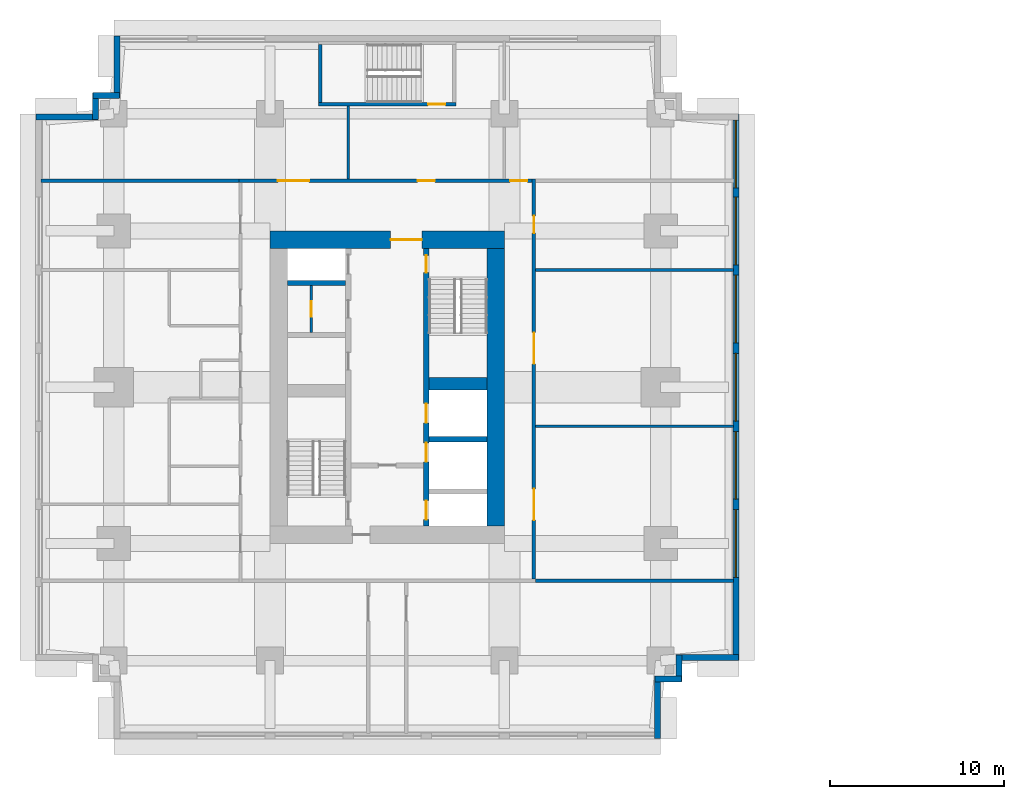
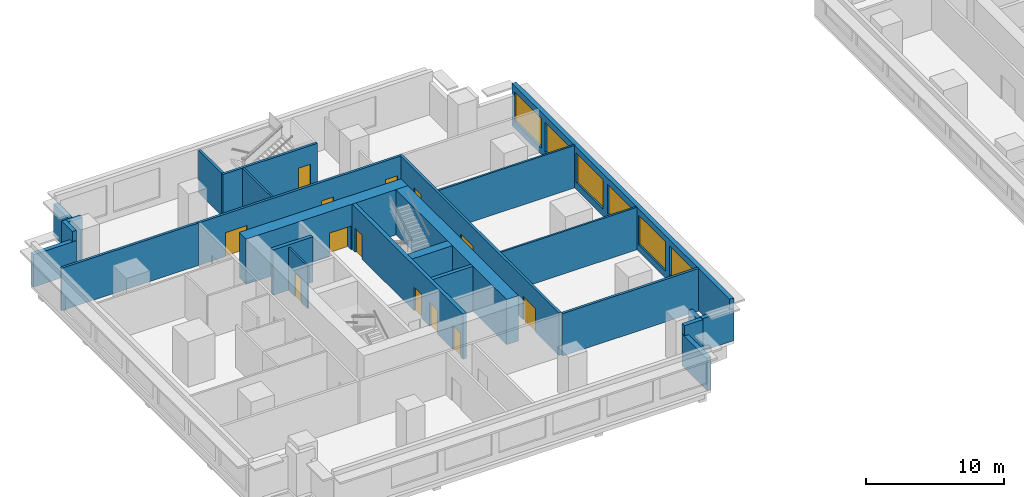
# One storey, part 4 of 10: 25 walls, 13 doors, 6 windows, 19 openings.
"""IFC4 building model written with IfcOpenShell, lengths in metres."""

from ifc_helpers import new_model, si_unit, direction, frame, frame_2d, origin, place, context, subcontext, project, spatial, rectangle, extrude, material, layer, layer_set, type_object, element, fill, save


model = new_model("IFC4")

# Units and contexts
model_context = context("Model", 3, precision=1e-05, world=origin(), true_north=direction((0.0, 1.0)))
body_context = subcontext(model_context, "Body", "Model", "MODEL_VIEW")
ifc_project = project(units=[si_unit("LENGTHUNIT", "METRE"), si_unit("AREAUNIT", "SQUARE_METRE"), si_unit("VOLUMEUNIT", "CUBIC_METRE"), si_unit("PLANEANGLEUNIT", "RADIAN"), si_unit("MASSUNIT", "GRAM", prefix="KILO")], contexts=[model_context])

# Site, building, storey
site_placement = place(None, origin())
site = spatial("IfcSite", under=ifc_project, at=site_placement, CompositionType="ELEMENT")
building_placement = place(site_placement, origin())
building = spatial("IfcBuilding", under=site, at=building_placement, Name="Namib Vertical Campus", CompositionType="ELEMENT")
storey_placement = place(building_placement, frame((0.0, 0.0, 229.0)))
storey = spatial("IfcBuildingStorey", under=building, at=storey_placement, Name="L54", CompositionType="ELEMENT", Elevation=229.0)

# Wall, openings, doors
ifc_material_1 = material(Name="Concrete C60/75", Category="concrete")
ifc_layer_1 = layer(ifc_material_1, 0.300048828125)
ifc_layer_set_1 = layer_set([ifc_layer_1], Name="Concrete C60/75")
wall_type_1 = type_object("IfcWallType", Name="Core inner wall 300", PredefinedType="SHEAR", material=ifc_layer_set_1)
wall_1_placement = place(storey_placement, frame((22.5, 12.25, 0.0), z_axis=(0.0, 0.0, 1.0), x_axis=(0.0, 1.0, 0.0)))
wall_1 = element("IfcWall", 1, at=wall_1_placement, inside=storey, type_object=wall_type_1, Name="Core inner wall A L54 W2", PredefinedType="SHEAR", context=body_context, shape_type="SweptSolid", body=[
    extrude(rectangle(XDim=16.0, YDim=0.300048828125, at=frame_2d((8.0, 0.0))), origin(), (0.0, 0.0, 1.0), 4.0),
])
opening_1_placement = place(wall_1_placement, frame((14.60009765625, 0.0, 0.0)))
opening_1 = element("IfcOpeningElement", 2, at=opening_1_placement, cuts=wall_1, Name="Opening FD1", PredefinedType="OPENING", context=body_context, shape_type="SweptSolid", body=[
    extrude(rectangle(XDim=1.0, YDim=2.10009765625, at=frame_2d((0.5, 1.050048828125))), frame((0.0, 0.159912109375, 0.0), z_axis=(0.0, -1.0, 0.0), x_axis=(1.0, 0.0, 0.0)), (0.0, 0.0, 1.0), 0.320068359375),
])
opening_2_placement = place(wall_1_placement, frame((0.375, 0.0, 0.0)))
opening_2 = element("IfcOpeningElement", 3, at=opening_2_placement, cuts=wall_1, Name="Opening LD1", PredefinedType="OPENING", context=body_context, shape_type="SweptSolid", body=[
    extrude(rectangle(XDim=1.10009765625, YDim=2.10009765625, at=frame_2d((0.550048828125, 1.050048828125))), frame((0.0, 0.159912109375, 0.0), z_axis=(0.0, -1.0, 0.0), x_axis=(1.0, 0.0, 0.0)), (0.0, 0.0, 1.0), 0.320068359375),
])
opening_3_placement = place(wall_1_placement, frame((3.699951171875, 0.0, 0.0)))
opening_3 = element("IfcOpeningElement", 4, at=opening_3_placement, cuts=wall_1, Name="Opening LD1", PredefinedType="OPENING", context=body_context, shape_type="SweptSolid", body=[
    extrude(rectangle(XDim=1.10009765625, YDim=2.10009765625, at=frame_2d((0.550048828125, 1.050048828125))), frame((0.0, 0.159912109375, 0.0), z_axis=(0.0, -1.0, 0.0), x_axis=(1.0, 0.0, 0.0)), (0.0, 0.0, 1.0), 0.320068359375),
])
opening_4_placement = place(wall_1_placement, frame((5.949951171875, 0.0, 0.0)))
opening_4 = element("IfcOpeningElement", 5, at=opening_4_placement, cuts=wall_1, Name="Opening LD1", PredefinedType="OPENING", context=body_context, shape_type="SweptSolid", body=[
    extrude(rectangle(XDim=1.10009765625, YDim=2.10009765625, at=frame_2d((0.550048828125, 1.050048828125))), frame((0.0, 0.159912109375, 0.0), z_axis=(0.0, -1.0, 0.0), x_axis=(1.0, 0.0, 0.0)), (0.0, 0.0, 1.0), 0.320068359375),
])
ifc_material_2 = material(Name="Steel fire door", Category="steel")
door_type_1 = type_object("IfcDoorType", Name="Fire door 1000x2100", OperationType="SINGLE_SWING_RIGHT", PredefinedType="DOOR", material=ifc_material_2)
door_1_placement = place(opening_1_placement, frame((1.0, 0.0, 0.0), z_axis=(0.0, 0.0, 1.0), x_axis=(-1.0, 0.0, 0.0)))
door_1 = element("IfcDoor", 6, at=door_1_placement, inside=storey, type_object=door_type_1, Name="Stair door FD1 A L54 S2", OperationType="SINGLE_SWING_LEFT", OverallHeight=2.10009765625, OverallWidth=1.0, PredefinedType="DOOR", context=body_context, shape_type="SweptSolid", body=[
    extrude(rectangle(XDim=1.0, YDim=2.10009765625, at=frame_2d((0.5, 1.050048828125))), frame((0.0, 0.02490234375, 0.0), z_axis=(0.0, -1.0, 0.0), x_axis=(1.0, 0.0, 0.0)), (0.0, 0.0, 1.0), 0.050048828125),
])
fill(opening_1, door_1)
ifc_material_3 = material(Name="Stainless steel lift door", Category="steel")
door_type_2 = type_object("IfcDoorType", Name="Lift landing door 1100x2100", OperationType="DOUBLE_DOOR_SLIDING", PredefinedType="DOOR", material=ifc_material_3)
door_2_placement = place(opening_2_placement, origin())
door_2 = element("IfcDoor", 7, at=door_2_placement, inside=storey, type_object=door_type_2, Name="Lift landing door LD1 A-FL1 L54", OperationType="DOUBLE_DOOR_SLIDING", OverallHeight=2.10009765625, OverallWidth=1.10009765625, PredefinedType="DOOR", context=body_context, shape_type="SweptSolid", body=[
    extrude(rectangle(XDim=1.10009765625, YDim=2.10009765625, at=frame_2d((0.550048828125, 1.050048828125))), frame((0.0, 0.02490234375, 0.0), z_axis=(0.0, -1.0, 0.0), x_axis=(1.0, 0.0, 0.0)), (0.0, 0.0, 1.0), 0.050048828125),
])
fill(opening_2, door_2)
door_3_placement = place(opening_3_placement, origin())
door_3 = element("IfcDoor", 8, at=door_3_placement, inside=storey, type_object=door_type_2, Name="Lift landing door LD1 A-P4 L54", OperationType="DOUBLE_DOOR_SLIDING", OverallHeight=2.10009765625, OverallWidth=1.10009765625, PredefinedType="DOOR", context=body_context, shape_type="SweptSolid", body=[
    extrude(rectangle(XDim=1.10009765625, YDim=2.10009765625, at=frame_2d((0.550048828125, 1.050048828125))), frame((0.0, 0.02490234375, 0.0), z_axis=(0.0, -1.0, 0.0), x_axis=(1.0, 0.0, 0.0)), (0.0, 0.0, 1.0), 0.050048828125),
])
fill(opening_3, door_3)
door_4_placement = place(opening_4_placement, origin())
door_4 = element("IfcDoor", 9, at=door_4_placement, inside=storey, type_object=door_type_2, Name="Lift landing door LD1 A-P5 L54", OperationType="DOUBLE_DOOR_SLIDING", OverallHeight=2.10009765625, OverallWidth=1.10009765625, PredefinedType="DOOR", context=body_context, shape_type="SweptSolid", body=[
    extrude(rectangle(XDim=1.10009765625, YDim=2.10009765625, at=frame_2d((0.550048828125, 1.050048828125))), frame((0.0, 0.02490234375, 0.0), z_axis=(0.0, -1.0, 0.0), x_axis=(1.0, 0.0, 0.0)), (0.0, 0.0, 1.0), 0.050048828125),
])
fill(opening_4, door_4)

# Walls
for number, where, z_axis, x_axis, name in (
    (10, (22.64990234375, 17.25, 0.0), (0.0, 0.0, 1.0), (1.0, 0.0, 0.0), "Core inner wall A L54 W6"),
    (11, (14.5, 26.25, 0.0), (0.0, 0.0, 1.0), (1.0, 0.0, 0.0), "Core inner wall A L54 W9"),
):
    element("IfcWall", number, at=place(storey_placement, frame(where, z_axis=z_axis, x_axis=x_axis)), inside=storey, type_object=wall_type_1, Name=name, PredefinedType="SHEAR", context=body_context, shape_type="SweptSolid", body=[
        extrude(rectangle(XDim=3.35009765625, YDim=0.300048828125, at=frame_2d((1.675048828125, 0.0))), origin(), (0.0, 0.0, 1.0), 4.0),
    ])
ifc_material_4 = material(Name="Concrete C60/75", Category="concrete")
ifc_layer_2 = layer(ifc_material_4, 0.699951171875)
ifc_layer_set_2 = layer_set([ifc_layer_2], Name="Concrete C60/75")
wall_type_2 = type_object("IfcWallType", Name="Core shear wall 700", PredefinedType="SHEAR", material=ifc_layer_set_2)
wall_2_placement = place(storey_placement, frame((22.64990234375, 20.449951171875, 0.0), z_axis=(0.0, 0.0, 1.0), x_axis=(1.0, 0.0, 0.0)))
element("IfcWall", 12, at=wall_2_placement, inside=storey, type_object=wall_type_2, Name="Core shear wall A L54 W7", PredefinedType="SHEAR", context=body_context, shape_type="SweptSolid", body=[
    extrude(rectangle(XDim=3.35009765625, YDim=0.699951171875, at=frame_2d((1.675048828125, 0.0))), origin(), (0.0, 0.0, 1.0), 4.0),
])
ifc_material_5 = material(Name="Concrete C60/75", Category="concrete")
ifc_layer_3 = layer(ifc_material_5, 1.0)
ifc_layer_set_3 = layer_set([ifc_layer_3], Name="Concrete C60/75")
wall_type_3 = type_object("IfcWallType", Name="Core wall 1000", PredefinedType="SHEAR", material=ifc_layer_set_3)
wall_3_placement = place(storey_placement, frame((26.5, 12.25, 0.0), z_axis=(0.0, 0.0, 1.0), x_axis=(0.0, 1.0, 0.0)))
element("IfcWall", 13, at=wall_3_placement, inside=storey, type_object=wall_type_3, Name="Core wall A L54 2", PredefinedType="SHEAR", context=body_context, shape_type="SweptSolid", body=[
    extrude(rectangle(XDim=16.0, YDim=1.0, at=frame_2d((8.0, 0.0))), origin(), (0.0, 0.0, 1.0), 4.0),
])

# Wall, opening, door
wall_4_placement = place(storey_placement, frame((27.0, 28.75, 0.0), z_axis=(0.0, 0.0, 1.0), x_axis=(-1.0, 0.0, 0.0)))
wall_4 = element("IfcWall", 14, at=wall_4_placement, inside=storey, type_object=wall_type_3, Name="Core wall A L54 3", PredefinedType="SHEAR", context=body_context, shape_type="SweptSolid", body=[
    extrude(rectangle(XDim=13.5, YDim=1.0, at=frame_2d((6.75, 0.0))), origin(), (0.0, 0.0, 1.0), 4.0),
])
opening_5_placement = place(wall_4_placement, frame((4.75, 0.0, 0.0)))
opening_5 = element("IfcOpeningElement", 15, at=opening_5_placement, cuts=wall_4, Name="Opening FD2", PredefinedType="OPENING", context=body_context, shape_type="SweptSolid", body=[
    extrude(rectangle(XDim=1.800048828125, YDim=2.10009765625, at=frame_2d((0.89990234375, 1.050048828125))), frame((0.0, 0.510009765625, 0.0), z_axis=(0.0, -1.0, 0.0), x_axis=(1.0, 0.0, 0.0)), (0.0, 0.0, 1.0), 1.02001953125),
])
ifc_material_6 = material(Name="Steel fire door", Category="steel")
door_type_3 = type_object("IfcDoorType", Name="Fire door double 1800x2100", OperationType="DOUBLE_DOOR_SINGLE_SWING", PredefinedType="DOOR", material=ifc_material_6)
door_5_placement = place(opening_5_placement, origin())
door_5 = element("IfcDoor", 16, at=door_5_placement, inside=storey, type_object=door_type_3, Name="Lift lobby door FD2 A L54", OperationType="DOUBLE_DOOR_SINGLE_SWING", OverallHeight=2.10009765625, OverallWidth=1.800048828125, PredefinedType="DOOR", context=body_context, shape_type="SweptSolid", body=[
    extrude(rectangle(XDim=1.800048828125, YDim=2.10009765625, at=frame_2d((0.89990234375, 1.050048828125))), frame((0.0, 0.02490234375, 0.0), z_axis=(0.0, -1.0, 0.0), x_axis=(1.0, 0.0, 0.0)), (0.0, 0.0, 1.0), 0.050048828125),
])
fill(opening_5, door_5)

# Wall, openings, doors
ifc_material_7 = material(Name="Concrete masonry", Category="masonry")
ifc_layer_4 = layer(ifc_material_7, 0.199951171875)
ifc_layer_set_4 = layer_set([ifc_layer_4], Name="Corridor wall 200")
wall_type_4 = type_object("IfcWallType", Name="Corridor wall 200", PredefinedType="SOLIDWALL", material=ifc_layer_set_4)
wall_5_placement = place(storey_placement, frame((28.699951171875, 9.199951171875, 0.0), z_axis=(0.0, 0.0, 1.0), x_axis=(0.0, 1.0, 0.0)))
wall_5 = element("IfcWall", 17, at=wall_5_placement, inside=storey, type_object=wall_type_4, Name="Corridor wall A L54 CE", PredefinedType="SOLIDWALL", context=body_context, shape_type="SweptSolid", body=[
    extrude(rectangle(XDim=23.050048828125, YDim=0.199951171875, at=frame_2d((11.52490234375, 0.0))), origin(), (0.0, 0.0, 1.0), 3.75),
])
opening_6_placement = place(wall_5_placement, frame((3.39990234375, 0.0, 0.0)))
opening_6 = element("IfcOpeningElement", 18, at=opening_6_placement, cuts=wall_5, Name="Opening CD2", PredefinedType="OPENING", context=body_context, shape_type="SweptSolid", body=[
    extrude(rectangle(XDim=1.800048828125, YDim=2.10009765625, at=frame_2d((0.89990234375, 1.050048828125))), frame((0.0, 0.10986328125, 0.0), z_axis=(0.0, -1.0, 0.0), x_axis=(1.0, 0.0, 0.0)), (0.0, 0.0, 1.0), 0.219970703125),
])
opening_7_placement = place(wall_5_placement, frame((12.39990234375, 0.0, 0.0)))
opening_7 = element("IfcOpeningElement", 19, at=opening_7_placement, cuts=wall_5, Name="Opening CD2", PredefinedType="OPENING", context=body_context, shape_type="SweptSolid", body=[
    extrude(rectangle(XDim=1.800048828125, YDim=2.10009765625, at=frame_2d((0.89990234375, 1.050048828125))), frame((0.0, 0.10986328125, 0.0), z_axis=(0.0, -1.0, 0.0), x_axis=(1.0, 0.0, 0.0)), (0.0, 0.0, 1.0), 0.219970703125),
])
opening_8_placement = place(wall_5_placement, frame((19.925048828125, 0.0, 0.0)))
opening_8 = element("IfcOpeningElement", 20, at=opening_8_placement, cuts=wall_5, Name="Opening CD1", PredefinedType="OPENING", context=body_context, shape_type="SweptSolid", body=[
    extrude(rectangle(XDim=1.0, YDim=2.10009765625, at=frame_2d((0.5, 1.050048828125))), frame((0.0, 0.10986328125, 0.0), z_axis=(0.0, -1.0, 0.0), x_axis=(1.0, 0.0, 0.0)), (0.0, 0.0, 1.0), 0.219970703125),
])
ifc_material_8 = material(Name="Timber fire door leaf", Category="wood")
door_type_4 = type_object("IfcDoorType", Name="Corridor door 1000x2100 20 min", OperationType="SINGLE_SWING_LEFT", PredefinedType="DOOR", material=ifc_material_8)
door_6_placement = place(opening_8_placement, frame((1.0, 0.0, 0.0), z_axis=(0.0, 0.0, 1.0), x_axis=(-1.0, 0.0, 0.0)))
door_6 = element("IfcDoor", 21, at=door_6_placement, inside=storey, type_object=door_type_4, Name="Door CD1 A54-05", OperationType="SINGLE_SWING_RIGHT", OverallHeight=2.10009765625, OverallWidth=1.0, PredefinedType="DOOR", context=body_context, shape_type="SweptSolid", body=[
    extrude(rectangle(XDim=1.0, YDim=2.10009765625, at=frame_2d((0.5, 1.050048828125))), frame((0.0, 0.02490234375, 0.0), z_axis=(0.0, -1.0, 0.0), x_axis=(1.0, 0.0, 0.0)), (0.0, 0.0, 1.0), 0.050048828125),
])
fill(opening_8, door_6)
ifc_material_9 = material(Name="Timber fire door leaf", Category="wood")
door_type_5 = type_object("IfcDoorType", Name="Corridor door double 1800x2100 20 min", OperationType="DOUBLE_DOOR_SINGLE_SWING", PredefinedType="DOOR", material=ifc_material_9)
door_7_placement = place(opening_6_placement, frame((1.800048828125, 0.0, 0.0), z_axis=(0.0, 0.0, 1.0), x_axis=(-1.0, 0.0, 0.0)))
door_7 = element("IfcDoor", 22, at=door_7_placement, inside=storey, type_object=door_type_5, Name="Door CD2 A54-03", OperationType="DOUBLE_DOOR_SINGLE_SWING", OverallHeight=2.10009765625, OverallWidth=1.800048828125, PredefinedType="DOOR", context=body_context, shape_type="SweptSolid", body=[
    extrude(rectangle(XDim=1.800048828125, YDim=2.10009765625, at=frame_2d((0.89990234375, 1.050048828125))), frame((0.0, 0.02490234375, 0.0), z_axis=(0.0, -1.0, 0.0), x_axis=(1.0, 0.0, 0.0)), (0.0, 0.0, 1.0), 0.050048828125),
])
fill(opening_6, door_7)
door_8_placement = place(opening_7_placement, frame((1.800048828125, 0.0, 0.0), z_axis=(0.0, 0.0, 1.0), x_axis=(-1.0, 0.0, 0.0)))
door_8 = element("IfcDoor", 23, at=door_8_placement, inside=storey, type_object=door_type_5, Name="Door CD2 A54-04", OperationType="DOUBLE_DOOR_SINGLE_SWING", OverallHeight=2.10009765625, OverallWidth=1.800048828125, PredefinedType="DOOR", context=body_context, shape_type="SweptSolid", body=[
    extrude(rectangle(XDim=1.800048828125, YDim=2.10009765625, at=frame_2d((0.89990234375, 1.050048828125))), frame((0.0, 0.02490234375, 0.0), z_axis=(0.0, -1.0, 0.0), x_axis=(1.0, 0.0, 0.0)), (0.0, 0.0, 1.0), 0.050048828125),
])
fill(opening_7, door_8)

wall_6_placement = place(storey_placement, frame((28.60009765625, 32.14990234375, 0.0), z_axis=(0.0, 0.0, 1.0), x_axis=(-1.0, 0.0, 0.0)))
wall_6 = element("IfcWall", 24, at=wall_6_placement, inside=storey, type_object=wall_type_4, Name="Corridor wall A L54 CN", PredefinedType="SOLIDWALL", context=body_context, shape_type="SweptSolid", body=[
    extrude(rectangle(XDim=16.900146484375, YDim=0.199951171875, at=frame_2d((8.4501953125, 0.0))), origin(), (0.0, 0.0, 1.0), 3.75),
])
opening_9_placement = place(wall_6_placement, frame((12.85009765625, 0.0, 0.0)))
opening_9 = element("IfcOpeningElement", 25, at=opening_9_placement, cuts=wall_6, Name="Opening CD2", PredefinedType="OPENING", context=body_context, shape_type="SweptSolid", body=[
    extrude(rectangle(XDim=1.800048828125, YDim=2.10009765625, at=frame_2d((0.89990234375, 1.050048828125))), frame((0.0, 0.10986328125, 0.0), z_axis=(0.0, -1.0, 0.0), x_axis=(1.0, 0.0, 0.0)), (0.0, 0.0, 1.0), 0.219970703125),
])
opening_10_placement = place(wall_6_placement, frame((5.60009765625, 0.0, 0.0)))
opening_10 = element("IfcOpeningElement", 26, at=opening_10_placement, cuts=wall_6, Name="Opening CD1", PredefinedType="OPENING", context=body_context, shape_type="SweptSolid", body=[
    extrude(rectangle(XDim=1.0, YDim=2.10009765625, at=frame_2d((0.5, 1.050048828125))), frame((0.0, 0.10986328125, 0.0), z_axis=(0.0, -1.0, 0.0), x_axis=(1.0, 0.0, 0.0)), (0.0, 0.0, 1.0), 0.219970703125),
])
opening_11_placement = place(wall_6_placement, frame((0.27490234375, 0.0, 0.0)))
opening_11 = element("IfcOpeningElement", 27, at=opening_11_placement, cuts=wall_6, Name="Opening CD1", PredefinedType="OPENING", context=body_context, shape_type="SweptSolid", body=[
    extrude(rectangle(XDim=1.0, YDim=2.10009765625, at=frame_2d((0.5, 1.050048828125))), frame((0.0, 0.10986328125, 0.0), z_axis=(0.0, -1.0, 0.0), x_axis=(1.0, 0.0, 0.0)), (0.0, 0.0, 1.0), 0.219970703125),
])
door_9_placement = place(opening_10_placement, frame((1.0, 0.0, 0.0), z_axis=(0.0, 0.0, 1.0), x_axis=(-1.0, 0.0, 0.0)))
door_9 = element("IfcDoor", 28, at=door_9_placement, inside=storey, type_object=door_type_4, Name="Door CD1 A54-07", OperationType="SINGLE_SWING_RIGHT", OverallHeight=2.10009765625, OverallWidth=1.0, PredefinedType="DOOR", context=body_context, shape_type="SweptSolid", body=[
    extrude(rectangle(XDim=1.0, YDim=2.10009765625, at=frame_2d((0.5, 1.050048828125))), frame((0.0, 0.02490234375, 0.0), z_axis=(0.0, -1.0, 0.0), x_axis=(1.0, 0.0, 0.0)), (0.0, 0.0, 1.0), 0.050048828125),
])
fill(opening_10, door_9)
door_10_placement = place(opening_11_placement, frame((1.0, 0.0, 0.0), z_axis=(0.0, 0.0, 1.0), x_axis=(-1.0, 0.0, 0.0)))
door_10 = element("IfcDoor", 29, at=door_10_placement, inside=storey, type_object=door_type_4, Name="Door CD1 A54-08", OperationType="SINGLE_SWING_LEFT", OverallHeight=2.10009765625, OverallWidth=1.0, PredefinedType="DOOR", context=body_context, shape_type="SweptSolid", body=[
    extrude(rectangle(XDim=1.0, YDim=2.10009765625, at=frame_2d((0.5, 1.050048828125))), frame((0.0, 0.02490234375, 0.0), z_axis=(0.0, -1.0, 0.0), x_axis=(1.0, 0.0, 0.0)), (0.0, 0.0, 1.0), 0.050048828125),
])
fill(opening_11, door_10)
door_11_placement = place(opening_9_placement, frame((1.800048828125, 0.0, 0.0), z_axis=(0.0, 0.0, 1.0), x_axis=(-1.0, 0.0, 0.0)))
door_11 = element("IfcDoor", 30, at=door_11_placement, inside=storey, type_object=door_type_5, Name="Door CD2 A54-06", OperationType="DOUBLE_DOOR_SINGLE_SWING", OverallHeight=2.10009765625, OverallWidth=1.800048828125, PredefinedType="DOOR", context=body_context, shape_type="SweptSolid", body=[
    extrude(rectangle(XDim=1.800048828125, YDim=2.10009765625, at=frame_2d((0.89990234375, 1.050048828125))), frame((0.0, 0.02490234375, 0.0), z_axis=(0.0, -1.0, 0.0), x_axis=(1.0, 0.0, 0.0)), (0.0, 0.0, 1.0), 0.050048828125),
])
fill(opening_9, door_11)

# Walls
for number, where, z_axis, x_axis, name in (
    (31, (28.800048828125, 9.10009765625, 0.0), (0.0, 0.0, 1.0), (1.0, 0.0, 0.0), "Partition A L54 BSE"),
    (32, (0.300048828125, 32.14990234375, 0.0), (0.0, 0.0, 1.0), (1.0, 0.0, 0.0), "Partition A L54 BNW"),
):
    element("IfcWall", number, at=place(storey_placement, frame(where, z_axis=z_axis, x_axis=x_axis)), inside=storey, type_object=wall_type_4, Name=name, PredefinedType="SOLIDWALL", context=body_context, shape_type="SweptSolid", body=[
        extrude(rectangle(XDim=11.39990234375, YDim=0.199951171875, at=frame_2d((5.699951171875, 0.0))), origin(), (0.0, 0.0, 1.0), 3.75),
    ])
ifc_material_10 = material(Name="Concrete C40/50", Category="concrete")
ifc_layer_5 = layer(ifc_material_10, 0.35009765625)
ifc_layer_set_5 = layer_set([ifc_layer_5], Name="Concrete C40/50")
wall_type_5 = type_object("IfcWallType", Name="External wall 350 bush-hammered concrete", PredefinedType="STANDARD", material=ifc_layer_set_5)
wall_7_placement = place(storey_placement, frame((35.824951171875, 0.02001953125, 0.0), z_axis=(0.0, 0.0, 1.0), x_axis=(0.0, 1.0, 0.0)))
element("IfcWall", 33, at=wall_7_placement, inside=storey, type_object=wall_type_5, Name="External wall L54 F02", PredefinedType="STANDARD", context=body_context, shape_type="SweptSolid", body=[
    extrude(rectangle(XDim=3.5849609375, YDim=0.35009765625, at=frame_2d((1.79248046875, 0.0))), origin(), (0.0, 0.0, 1.0), 2.85009765625),
])
for number, where, z_axis, x_axis, name in (
    (34, (35.669921875, 3.449951171875, 0.0), (0.0, 0.0, 1.0), (1.0, 0.0, 0.0), "External wall L54 F03"),
    (35, (37.050048828125, 3.294921875, 0.0), (0.0, 0.0, 1.0), (0.0, 1.0, 0.0), "External wall L54 F04"),
):
    element("IfcWall", number, at=place(storey_placement, frame(where, z_axis=z_axis, x_axis=x_axis)), inside=storey, type_object=wall_type_5, Name=name, PredefinedType="STANDARD", context=body_context, shape_type="SweptSolid", body=[
        extrude(rectangle(XDim=1.53515625, YDim=0.35009765625, at=frame_2d((0.767578125, 0.0))), origin(), (0.0, 0.0, 1.0), 3.75),
    ])
wall_8_placement = place(storey_placement, frame((36.89501953125, 4.675048828125, 0.0), z_axis=(0.0, 0.0, 1.0), x_axis=(1.0, 0.0, 0.0)))
element("IfcWall", 36, at=wall_8_placement, inside=storey, type_object=wall_type_5, Name="External wall L54 F05", PredefinedType="STANDARD", context=body_context, shape_type="SweptSolid", body=[
    extrude(rectangle(XDim=3.5849609375, YDim=0.35009765625, at=frame_2d((1.79248046875, 0.0))), origin(), (0.0, 0.0, 1.0), 2.85009765625),
])

# Wall, openings, windows
wall_9_placement = place(storey_placement, frame((40.324951171875, 4.52001953125, 0.0), z_axis=(0.0, 0.0, 1.0), x_axis=(0.0, 1.0, 0.0)))
wall_9 = element("IfcWall", 37, at=wall_9_placement, inside=storey, type_object=wall_type_5, Name="External wall L54 F06", PredefinedType="STANDARD", context=body_context, shape_type="SweptSolid", body=[
    extrude(rectangle(XDim=31.4599609375, YDim=0.35009765625, at=frame_2d((15.72998046875, 0.0))), origin(), (0.0, 0.0, 1.0), 3.75),
])
opening_12_placement = place(wall_9_placement, frame((4.780029296875, 0.0, 0.60009765625)))
opening_12 = element("IfcOpeningElement", 38, at=opening_12_placement, cuts=wall_9, Name="Opening W2", PredefinedType="OPENING", context=body_context, shape_type="SweptSolid", body=[
    extrude(rectangle(XDim=3.89990234375, YDim=2.60009765625, at=frame_2d((1.949951171875, 1.300048828125))), frame((0.0, 0.18505859375, 0.0), z_axis=(0.0, -1.0, 0.0), x_axis=(1.0, 0.0, 0.0)), (0.0, 0.0, 1.0), 0.3701171875),
])
opening_13_placement = place(wall_9_placement, frame((9.280029296875, 0.0, 0.60009765625)))
opening_13 = element("IfcOpeningElement", 39, at=opening_13_placement, cuts=wall_9, Name="Opening W2", PredefinedType="OPENING", context=body_context, shape_type="SweptSolid", body=[
    extrude(rectangle(XDim=3.89990234375, YDim=2.60009765625, at=frame_2d((1.949951171875, 1.300048828125))), frame((0.0, 0.18505859375, 0.0), z_axis=(0.0, -1.0, 0.0), x_axis=(1.0, 0.0, 0.0)), (0.0, 0.0, 1.0), 0.3701171875),
])
opening_14_placement = place(wall_9_placement, frame((13.780029296875, 0.0, 0.60009765625)))
opening_14 = element("IfcOpeningElement", 40, at=opening_14_placement, cuts=wall_9, Name="Opening W2", PredefinedType="OPENING", context=body_context, shape_type="SweptSolid", body=[
    extrude(rectangle(XDim=3.89990234375, YDim=2.60009765625, at=frame_2d((1.949951171875, 1.300048828125))), frame((0.0, 0.18505859375, 0.0), z_axis=(0.0, -1.0, 0.0), x_axis=(1.0, 0.0, 0.0)), (0.0, 0.0, 1.0), 0.3701171875),
])
opening_15_placement = place(wall_9_placement, frame((18.280029296875, 0.0, 0.60009765625)))
opening_15 = element("IfcOpeningElement", 41, at=opening_15_placement, cuts=wall_9, Name="Opening W2", PredefinedType="OPENING", context=body_context, shape_type="SweptSolid", body=[
    extrude(rectangle(XDim=3.89990234375, YDim=2.60009765625, at=frame_2d((1.949951171875, 1.300048828125))), frame((0.0, 0.18505859375, 0.0), z_axis=(0.0, -1.0, 0.0), x_axis=(1.0, 0.0, 0.0)), (0.0, 0.0, 1.0), 0.3701171875),
])
opening_16_placement = place(wall_9_placement, frame((22.780029296875, 0.0, 0.60009765625)))
opening_16 = element("IfcOpeningElement", 42, at=opening_16_placement, cuts=wall_9, Name="Opening W2", PredefinedType="OPENING", context=body_context, shape_type="SweptSolid", body=[
    extrude(rectangle(XDim=3.89990234375, YDim=2.60009765625, at=frame_2d((1.949951171875, 1.300048828125))), frame((0.0, 0.18505859375, 0.0), z_axis=(0.0, -1.0, 0.0), x_axis=(1.0, 0.0, 0.0)), (0.0, 0.0, 1.0), 0.3701171875),
])
opening_17_placement = place(wall_9_placement, frame((27.2099609375, 0.0, 0.60009765625)))
opening_17 = element("IfcOpeningElement", 43, at=opening_17_placement, cuts=wall_9, Name="Opening W2", PredefinedType="OPENING", context=body_context, shape_type="SweptSolid", body=[
    extrude(rectangle(XDim=3.89990234375, YDim=2.60009765625, at=frame_2d((1.949951171875, 1.300048828125))), frame((0.0, 0.18505859375, 0.0), z_axis=(0.0, -1.0, 0.0), x_axis=(1.0, 0.0, 0.0)), (0.0, 0.0, 1.0), 0.3701171875),
])
ifc_material_11 = material(Name="Dark tinted glass in black aluminium frame", Category="aluminium")
window_type = type_object("IfcWindowType", Name="Ribbon window 3900x2600", PartitioningType="SINGLE_PANEL", PredefinedType="WINDOW", material=ifc_material_11)
window_1_placement = place(opening_12_placement, origin())
window_1 = element("IfcWindow", 44, at=window_1_placement, inside=storey, type_object=window_type, Name="Window W2 L54 F06-2", OverallHeight=2.60009765625, OverallWidth=3.89990234375, PartitioningType="SINGLE_PANEL", PredefinedType="WINDOW", context=body_context, shape_type="SweptSolid", body=[
    extrude(rectangle(XDim=3.89990234375, YDim=2.60009765625, at=frame_2d((1.949951171875, 1.300048828125))), frame((0.0, 0.030029296875, 0.0), z_axis=(0.0, -1.0, 0.0), x_axis=(1.0, 0.0, 0.0)), (0.0, 0.0, 1.0), 0.06005859375),
])
fill(opening_12, window_1)
window_2_placement = place(opening_13_placement, origin())
window_2 = element("IfcWindow", 45, at=window_2_placement, inside=storey, type_object=window_type, Name="Window W2 L54 F06-3", OverallHeight=2.60009765625, OverallWidth=3.89990234375, PartitioningType="SINGLE_PANEL", PredefinedType="WINDOW", context=body_context, shape_type="SweptSolid", body=[
    extrude(rectangle(XDim=3.89990234375, YDim=2.60009765625, at=frame_2d((1.949951171875, 1.300048828125))), frame((0.0, 0.030029296875, 0.0), z_axis=(0.0, -1.0, 0.0), x_axis=(1.0, 0.0, 0.0)), (0.0, 0.0, 1.0), 0.06005859375),
])
fill(opening_13, window_2)
window_3_placement = place(opening_14_placement, origin())
window_3 = element("IfcWindow", 46, at=window_3_placement, inside=storey, type_object=window_type, Name="Window W2 L54 F06-4", OverallHeight=2.60009765625, OverallWidth=3.89990234375, PartitioningType="SINGLE_PANEL", PredefinedType="WINDOW", context=body_context, shape_type="SweptSolid", body=[
    extrude(rectangle(XDim=3.89990234375, YDim=2.60009765625, at=frame_2d((1.949951171875, 1.300048828125))), frame((0.0, 0.030029296875, 0.0), z_axis=(0.0, -1.0, 0.0), x_axis=(1.0, 0.0, 0.0)), (0.0, 0.0, 1.0), 0.06005859375),
])
fill(opening_14, window_3)
window_4_placement = place(opening_15_placement, origin())
window_4 = element("IfcWindow", 47, at=window_4_placement, inside=storey, type_object=window_type, Name="Window W2 L54 F06-5", OverallHeight=2.60009765625, OverallWidth=3.89990234375, PartitioningType="SINGLE_PANEL", PredefinedType="WINDOW", context=body_context, shape_type="SweptSolid", body=[
    extrude(rectangle(XDim=3.89990234375, YDim=2.60009765625, at=frame_2d((1.949951171875, 1.300048828125))), frame((0.0, 0.030029296875, 0.0), z_axis=(0.0, -1.0, 0.0), x_axis=(1.0, 0.0, 0.0)), (0.0, 0.0, 1.0), 0.06005859375),
])
fill(opening_15, window_4)
window_5_placement = place(opening_16_placement, origin())
window_5 = element("IfcWindow", 48, at=window_5_placement, inside=storey, type_object=window_type, Name="Window W2 L54 F06-6", OverallHeight=2.60009765625, OverallWidth=3.89990234375, PartitioningType="SINGLE_PANEL", PredefinedType="WINDOW", context=body_context, shape_type="SweptSolid", body=[
    extrude(rectangle(XDim=3.89990234375, YDim=2.60009765625, at=frame_2d((1.949951171875, 1.300048828125))), frame((0.0, 0.030029296875, 0.0), z_axis=(0.0, -1.0, 0.0), x_axis=(1.0, 0.0, 0.0)), (0.0, 0.0, 1.0), 0.06005859375),
])
fill(opening_16, window_5)
window_6_placement = place(opening_17_placement, origin())
window_6 = element("IfcWindow", 49, at=window_6_placement, inside=storey, type_object=window_type, Name="Window W2 L54 F06-7", OverallHeight=2.60009765625, OverallWidth=3.89990234375, PartitioningType="SINGLE_PANEL", PredefinedType="WINDOW", context=body_context, shape_type="SweptSolid", body=[
    extrude(rectangle(XDim=3.89990234375, YDim=2.60009765625, at=frame_2d((1.949951171875, 1.300048828125))), frame((0.0, 0.030029296875, 0.0), z_axis=(0.0, -1.0, 0.0), x_axis=(1.0, 0.0, 0.0)), (0.0, 0.0, 1.0), 0.06005859375),
])
fill(opening_17, window_6)

# Walls
wall_10_placement = place(storey_placement, frame((4.675048828125, 40.47998046875, 0.0), z_axis=(0.0, 0.0, 1.0), x_axis=(0.0, -1.0, 0.0)))
element("IfcWall", 50, at=wall_10_placement, inside=storey, type_object=wall_type_5, Name="External wall L54 F12", PredefinedType="STANDARD", context=body_context, shape_type="SweptSolid", body=[
    extrude(rectangle(XDim=3.5849609375, YDim=0.35009765625, at=frame_2d((1.79248046875, 0.0))), origin(), (0.0, 0.0, 1.0), 2.85009765625),
])
for number, where, z_axis, x_axis, name in (
    (51, (4.830078125, 37.050048828125, 0.0), (0.0, 0.0, 1.0), (-1.0, 0.0, 0.0), "External wall L54 F13"),
    (52, (3.449951171875, 37.205078125, 0.0), (0.0, 0.0, 1.0), (0.0, -1.0, 0.0), "External wall L54 F14"),
):
    element("IfcWall", number, at=place(storey_placement, frame(where, z_axis=z_axis, x_axis=x_axis)), inside=storey, type_object=wall_type_5, Name=name, PredefinedType="STANDARD", context=body_context, shape_type="SweptSolid", body=[
        extrude(rectangle(XDim=1.53515625, YDim=0.35009765625, at=frame_2d((0.767578125, 0.0))), origin(), (0.0, 0.0, 1.0), 3.75),
    ])
wall_11_placement = place(storey_placement, frame((3.60498046875, 35.824951171875, 0.0), z_axis=(0.0, 0.0, 1.0), x_axis=(-1.0, 0.0, 0.0)))
element("IfcWall", 53, at=wall_11_placement, inside=storey, type_object=wall_type_5, Name="External wall L54 F15", PredefinedType="STANDARD", context=body_context, shape_type="SweptSolid", body=[
    extrude(rectangle(XDim=3.5849609375, YDim=0.35009765625, at=frame_2d((1.79248046875, 0.0))), origin(), (0.0, 0.0, 1.0), 2.85009765625),
])

# Wall, opening, door
ifc_material_12 = material(Name="Gypsum board on steel studs", Category="steel")
ifc_layer_6 = layer(ifc_material_12, 0.14990234375)
ifc_layer_set_6 = layer_set([ifc_layer_6], Name="Gypsum board on steel studs")
wall_type_6 = type_object("IfcWallType", Name="Partition 150", PredefinedType="PARTITIONING", material=ifc_layer_set_6)
wall_12_placement = place(storey_placement, frame((15.875, 23.39990234375, 0.0), z_axis=(0.0, 0.0, 1.0), x_axis=(0.0, 1.0, 0.0)))
wall_12 = element("IfcWall", 54, at=wall_12_placement, inside=storey, type_object=wall_type_6, Name="Partition A L54 Records store P2 back", PredefinedType="PARTITIONING", context=body_context, shape_type="SweptSolid", body=[
    extrude(rectangle(XDim=2.7001953125, YDim=0.14990234375, at=frame_2d((1.35009765625, 0.0))), origin(), (0.0, 0.0, 1.0), 3.75),
])
opening_18_placement = place(wall_12_placement, frame((0.89990234375, 0.0, 0.0)))
opening_18 = element("IfcOpeningElement", 55, at=opening_18_placement, cuts=wall_12, Name="Opening D3", PredefinedType="OPENING", context=body_context, shape_type="SweptSolid", body=[
    extrude(rectangle(XDim=0.89990234375, YDim=2.10009765625, at=frame_2d((0.449951171875, 1.050048828125))), frame((0.0, 0.0849609375, 0.0), z_axis=(0.0, -1.0, 0.0), x_axis=(1.0, 0.0, 0.0)), (0.0, 0.0, 1.0), 0.169921875),
])
ifc_material_13 = material(Name="Timber door leaf", Category="wood")
door_type_6 = type_object("IfcDoorType", Name="Toilet door 900x2100", OperationType="SINGLE_SWING_LEFT", PredefinedType="DOOR", material=ifc_material_13)
door_12_placement = place(opening_18_placement, origin())
door_12 = element("IfcDoor", 56, at=door_12_placement, inside=storey, type_object=door_type_6, Name="Door D3 Store A L54 P2", OperationType="SINGLE_SWING_LEFT", OverallHeight=2.10009765625, OverallWidth=0.89990234375, PredefinedType="DOOR", context=body_context, shape_type="SweptSolid", body=[
    extrude(rectangle(XDim=0.89990234375, YDim=2.10009765625, at=frame_2d((0.449951171875, 1.050048828125))), frame((0.0, 0.02490234375, 0.0), z_axis=(0.0, -1.0, 0.0), x_axis=(1.0, 0.0, 0.0)), (0.0, 0.0, 1.0), 0.050048828125),
])
fill(opening_18, door_12)

# Walls
wall_13_placement = place(storey_placement, frame((18.0, 32.25, 0.0), z_axis=(0.0, 0.0, 1.0), x_axis=(0.0, 1.0, 0.0)))
element("IfcWall", 57, at=wall_13_placement, inside=storey, type_object=wall_type_6, Name="Partition A L54 PN1", PredefinedType="PARTITIONING", context=body_context, shape_type="SweptSolid", body=[
    extrude(rectangle(XDim=4.199951171875, YDim=0.14990234375, at=frame_2d((2.10009765625, 0.0))), origin(), (0.0, 0.0, 1.0), 3.75),
])
for number, where, z_axis, x_axis, name in (
    (58, (28.800048828125, 18.0, 0.0), (0.0, 0.0, 1.0), (1.0, 0.0, 0.0), "Partition A L54 PE1"),
    (59, (28.800048828125, 27.0, 0.0), (0.0, 0.0, 1.0), (1.0, 0.0, 0.0), "Partition A L54 PE2"),
):
    element("IfcWall", number, at=place(storey_placement, frame(where, z_axis=z_axis, x_axis=x_axis)), inside=storey, type_object=wall_type_6, Name=name, PredefinedType="PARTITIONING", context=body_context, shape_type="SweptSolid", body=[
        extrude(rectangle(XDim=11.39990234375, YDim=0.14990234375, at=frame_2d((5.699951171875, 0.0))), origin(), (0.0, 0.0, 1.0), 3.75),
    ])

# Wall, opening, door
ifc_material_14 = material(Name="Concrete C40/50", Category="concrete")
ifc_layer_7 = layer(ifc_material_14, 0.199951171875)
ifc_layer_set_7 = layer_set([ifc_layer_7], Name="Concrete C40/50")
wall_type_7 = type_object("IfcWallType", Name="Stair enclosure wall RC 200", PredefinedType="SOLIDWALL", material=ifc_layer_set_7)
wall_14_placement = place(storey_placement, frame((16.300048828125, 36.550048828125, 0.0), z_axis=(0.0, 0.0, 1.0), x_axis=(1.0, 0.0, 0.0)))
wall_14 = element("IfcWall", 60, at=wall_14_placement, inside=storey, type_object=wall_type_7, Name="Stair enclosure wall A-S3 L54 S", PredefinedType="SOLIDWALL", context=body_context, shape_type="SweptSolid", body=[
    extrude(rectangle(XDim=7.89990234375, YDim=0.199951171875, at=frame_2d((3.949951171875, 0.0))), origin(), (0.0, 0.0, 1.0), 3.75),
])
opening_19_placement = place(wall_14_placement, frame((6.300048828125, 0.0, 0.0)))
opening_19 = element("IfcOpeningElement", 61, at=opening_19_placement, cuts=wall_14, Name="Opening FD1", PredefinedType="OPENING", context=body_context, shape_type="SweptSolid", body=[
    extrude(rectangle(XDim=1.0, YDim=2.10009765625, at=frame_2d((0.5, 1.050048828125))), frame((0.0, 0.10986328125, 0.0), z_axis=(0.0, -1.0, 0.0), x_axis=(1.0, 0.0, 0.0)), (0.0, 0.0, 1.0), 0.219970703125),
])
door_13_placement = place(opening_19_placement, origin())
door_13 = element("IfcDoor", 62, at=door_13_placement, inside=storey, type_object=door_type_1, Name="Stair door FD1 A L54 S3", OperationType="SINGLE_SWING_RIGHT", OverallHeight=2.10009765625, OverallWidth=1.0, PredefinedType="DOOR", context=body_context, shape_type="SweptSolid", body=[
    extrude(rectangle(XDim=1.0, YDim=2.10009765625, at=frame_2d((0.5, 1.050048828125))), frame((0.0, 0.02490234375, 0.0), z_axis=(0.0, -1.0, 0.0), x_axis=(1.0, 0.0, 0.0)), (0.0, 0.0, 1.0), 0.050048828125),
])
fill(opening_19, door_13)

# Wall
wall_15_placement = place(storey_placement, frame((16.39990234375, 36.64990234375, 0.0), z_axis=(0.0, 0.0, 1.0), x_axis=(0.0, 1.0, 0.0)))
element("IfcWall", 63, at=wall_15_placement, inside=storey, type_object=wall_type_7, Name="Stair enclosure wall A-S3 L54 W", PredefinedType="SOLIDWALL", context=body_context, shape_type="SweptSolid", body=[
    extrude(rectangle(XDim=3.35009765625, YDim=0.199951171875, at=frame_2d((1.675048828125, 0.0))), origin(), (0.0, 0.0, 1.0), 3.75),
])

save(model, "model.ifc")
